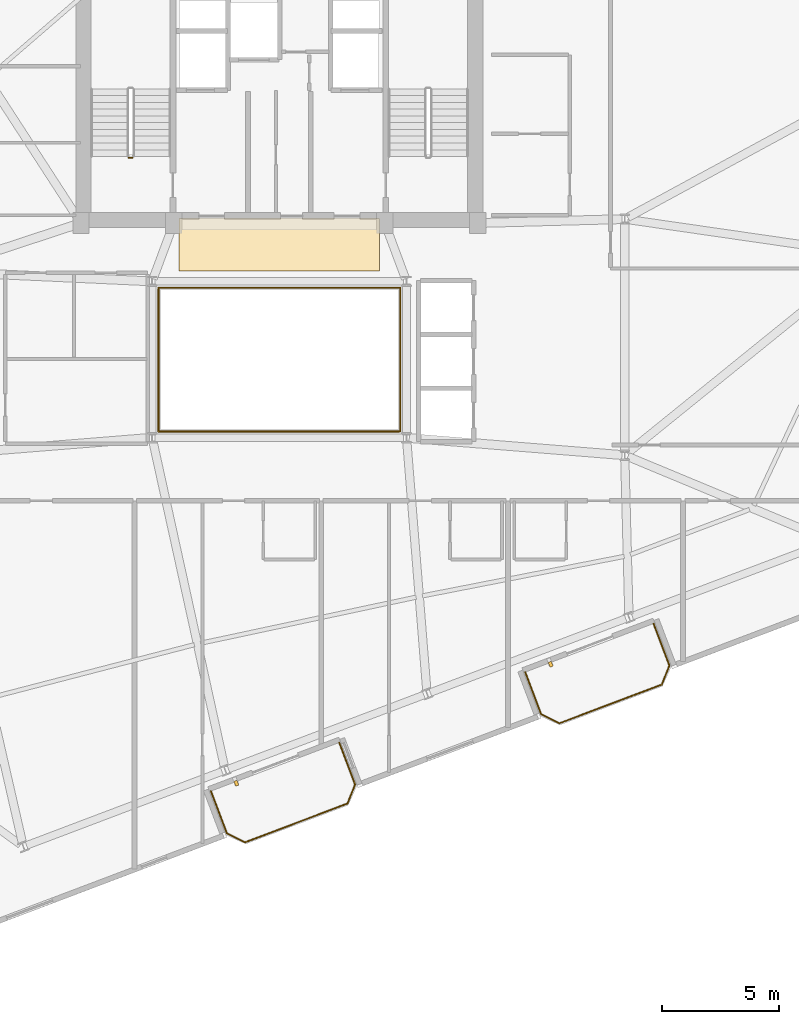
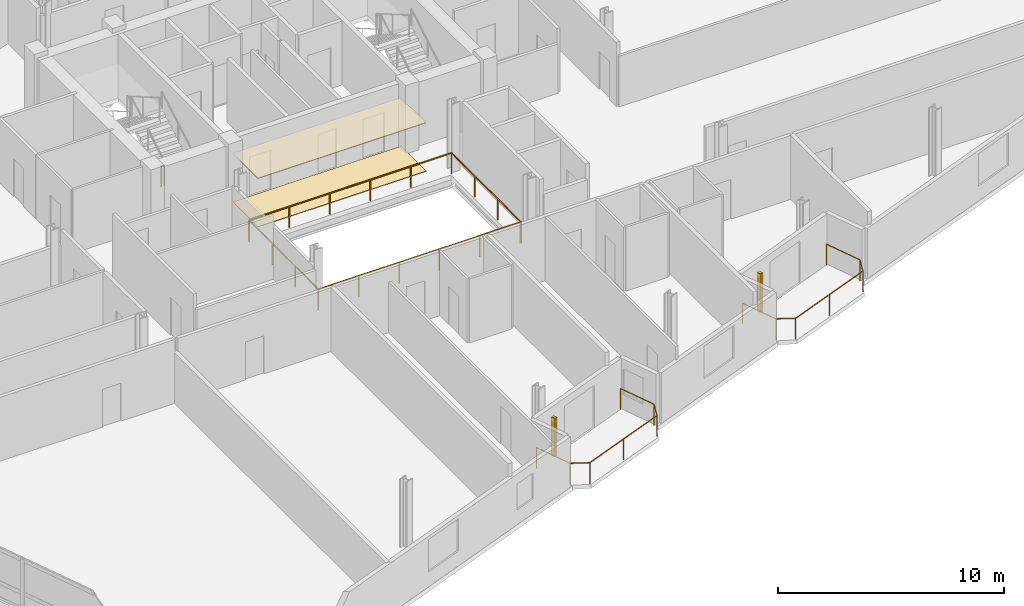
# One storey, part 19 of 20: 5 railings, 2 coverings, 2 shading devices.
"""IFC4 building model written with IfcOpenShell, lengths in metres."""

from ifc_helpers import new_model, si_unit, direction, frame, origin, origin_2d, place, context, subcontext, project, spatial, rectangle, circle, extrude, source, transform, mapped, material, layer, layer_set, type_object, element, save


model = new_model("IFC4")

# Units and contexts
model_context = context("Model", 3, precision=1e-05, world=origin(), true_north=direction((0.0, 1.0)))
body_context = subcontext(model_context, "Body", "Model", "MODEL_VIEW")
ifc_project = project(units=[si_unit("LENGTHUNIT", "METRE"), si_unit("AREAUNIT", "SQUARE_METRE"), si_unit("VOLUMEUNIT", "CUBIC_METRE"), si_unit("PLANEANGLEUNIT", "RADIAN"), si_unit("MASSUNIT", "GRAM", prefix="KILO")], contexts=[model_context])

# Site, building, storey
site_placement = place(None, origin())
site = spatial("IfcSite", under=ifc_project, at=site_placement, CompositionType="ELEMENT")
building_placement = place(site_placement, origin())
building = spatial("IfcBuilding", under=site, at=building_placement, Name="Varnelok Gate Tower", CompositionType="ELEMENT")
storey_placement = place(building_placement, frame((0.0, 0.0, 238.60009765625)))
storey = spatial("IfcBuildingStorey", under=building, at=storey_placement, Name="L61", CompositionType="ELEMENT", Elevation=238.60009765625)

# Railings
ifc_material_1 = material(Name="Tempered Laminated Balustrade Glass", Category="glass")
railing_type_1 = type_object("IfcRailingType", Name="RL-ATR-GUARD1150", PredefinedType="GUARDRAIL", material=ifc_material_1)
railing_1_placement = place(storey_placement, frame((34.02001953125, 25.929931640625, 0.0)))
element("IfcRailing", 1, at=railing_1_placement, inside=storey, type_object=railing_type_1, Name="L61 Internal Atrium South-West Guardrail", PredefinedType="GUARDRAIL", context=body_context, shape_type="SweptSolid", body=[
    extrude(circle(Radius=0.02392578125, at=origin_2d()), frame((0.0, 0.0, 1.1259765625), z_axis=(0.0, -1.0, 0.0), x_axis=(1.0, 0.0, 0.0)), (0.0, 0.0, 1.0), 6.10986328125),
    extrude(circle(Radius=0.02392578125, at=origin_2d()), frame((0.0, -6.10986328125, 1.1259765625), z_axis=(1.0, 0.0, 0.0), x_axis=(0.0, 1.0, 0.0)), (0.0, 0.0, 1.0), 10.31005859375),
    extrude(circle(Radius=0.02099609375, at=origin_2d()), origin(), (0.0, 0.0, 1.0), 1.101806640625),
    extrude(circle(Radius=0.02099609375, at=origin_2d()), frame((0.0, -2.03662109375, 0.0)), (0.0, 0.0, 1.0), 1.101806640625),
    extrude(circle(Radius=0.02099609375, at=origin_2d()), frame((0.0, -4.0732421875, 0.0)), (0.0, 0.0, 1.0), 1.101806640625),
    extrude(circle(Radius=0.02099609375, at=origin_2d()), frame((0.0, -6.10986328125, 0.0)), (0.0, 0.0, 1.0), 1.101806640625),
    extrude(circle(Radius=0.02099609375, at=origin_2d()), frame((2.06201171875, -6.10986328125, 0.0)), (0.0, 0.0, 1.0), 1.101806640625),
    extrude(circle(Radius=0.02099609375, at=origin_2d()), frame((4.1240234375, -6.10986328125, 0.0)), (0.0, 0.0, 1.0), 1.101806640625),
    extrude(circle(Radius=0.02099609375, at=origin_2d()), frame((6.18603515625, -6.10986328125, 0.0)), (0.0, 0.0, 1.0), 1.101806640625),
    extrude(circle(Radius=0.02099609375, at=origin_2d()), frame((8.248046875, -6.10986328125, 0.0)), (0.0, 0.0, 1.0), 1.101806640625),
    extrude(circle(Radius=0.02099609375, at=origin_2d()), frame((10.31005859375, -6.10986328125, 0.0)), (0.0, 0.0, 1.0), 1.101806640625),
])
railing_2_placement = place(storey_placement, frame((44.3798828125, 19.820068359375, 0.0)))
element("IfcRailing", 2, at=railing_2_placement, inside=storey, type_object=railing_type_1, Name="L61 Internal Atrium North-East Guardrail", PredefinedType="GUARDRAIL", context=body_context, shape_type="SweptSolid", body=[
    extrude(circle(Radius=0.02392578125, at=origin_2d()), frame((0.0, 0.0, 1.1259765625), z_axis=(0.0, 1.0, 0.0), x_axis=(-1.0, 0.0, 0.0)), (0.0, 0.0, 1.0), 6.159912109375),
    extrude(circle(Radius=0.02392578125, at=origin_2d()), frame((0.0, 6.159912109375, 1.1259765625), z_axis=(-1.0, 0.0, 0.0), x_axis=(0.0, -1.0, 0.0)), (0.0, 0.0, 1.0), 10.35986328125),
    extrude(circle(Radius=0.02099609375, at=origin_2d()), origin(), (0.0, 0.0, 1.0), 1.101806640625),
    extrude(circle(Radius=0.02099609375, at=origin_2d()), frame((0.0, 2.05322265625, 0.0)), (0.0, 0.0, 1.0), 1.101806640625),
    extrude(circle(Radius=0.02099609375, at=origin_2d()), frame((0.0, 4.106689453125, 0.0)), (0.0, 0.0, 1.0), 1.101806640625),
    extrude(circle(Radius=0.02099609375, at=origin_2d()), frame((0.0, 6.159912109375, 0.0)), (0.0, 0.0, 1.0), 1.101806640625),
    extrude(circle(Radius=0.02099609375, at=origin_2d()), frame((-2.072021484375, 6.159912109375, 0.0)), (0.0, 0.0, 1.0), 1.101806640625),
    extrude(circle(Radius=0.02099609375, at=origin_2d()), frame((-4.14404296875, 6.159912109375, 0.0)), (0.0, 0.0, 1.0), 1.101806640625),
    extrude(circle(Radius=0.02099609375, at=origin_2d()), frame((-6.2158203125, 6.159912109375, 0.0)), (0.0, 0.0, 1.0), 1.101806640625),
    extrude(circle(Radius=0.02099609375, at=origin_2d()), frame((-8.287841796875, 6.159912109375, 0.0)), (0.0, 0.0, 1.0), 1.101806640625),
    extrude(circle(Radius=0.02099609375, at=origin_2d()), frame((-10.35986328125, 6.159912109375, 0.0)), (0.0, 0.0, 1.0), 1.101806640625),
])
ifc_material_2 = material(Name="Low-E Laminated Double Glazing IGU", Category="glass")
railing_type_2 = type_object("IfcRailingType", Name="RL-BALC-1150", PredefinedType="BALUSTRADE", material=ifc_material_2)
railing_3_placement = place(storey_placement, frame((36.26708984375, 4.408203125, 0.0)))
element("IfcRailing", 3, at=railing_3_placement, inside=storey, type_object=railing_type_2, Name="L61 South Terrace Balustrade 1", PredefinedType="BALUSTRADE", context=body_context, shape_type="SweptSolid", body=[
    extrude(circle(Radius=0.02392578125, at=origin_2d()), frame((0.0, 0.0, 1.1259765625), z_axis=(0.354006333352, -0.935243025073, 0.0), x_axis=(0.935243025073, 0.354006333352, 0.0)), (0.0, 0.0, 1.0), 1.919921875),
    extrude(circle(Radius=0.02392578125, at=origin_2d()), frame((0.6796875, -1.795654296875, 1.1259765625), z_axis=(0.89078254773, -0.454429810487, 0.0), x_axis=(0.454429810487, 0.89078254773, 0.0)), (0.0, 0.0, 1.0), 0.8779296875),
    extrude(circle(Radius=0.02392578125, at=origin_2d()), frame((1.461669921875, -2.194580078125, 1.1259765625), z_axis=(0.935223045203, 0.354059113314, 0.0), x_axis=(-0.354059113314, 0.935223045203, 0.0)), (0.0, 0.0, 1.0), 4.699951171875),
    extrude(circle(Radius=0.02392578125, at=origin_2d()), frame((5.857177734375, -0.530517578125, 1.1259765625), z_axis=(0.366254584666, 0.930514685113, 0.0), x_axis=(-0.930514685113, 0.366254584666, 0.0)), (0.0, 0.0, 1.0), 0.8779296875),
    extrude(circle(Radius=0.02392578125, at=origin_2d()), frame((6.1787109375, 0.286376953125, 1.1259765625), z_axis=(-0.354048437536, 0.935227086797, 0.0), x_axis=(-0.935227086797, -0.354048437536, 0.0)), (0.0, 0.0, 1.0), 1.919677734375),
    extrude(circle(Radius=0.02099609375, at=origin_2d()), origin(), (0.0, 0.0, 1.0), 1.101806640625),
    extrude(circle(Radius=0.02099609375, at=origin_2d()), frame((0.6796875, -1.795654296875, 0.0)), (0.0, 0.0, 1.0), 1.101806640625),
    extrude(circle(Radius=0.02099609375, at=origin_2d()), frame((1.461669921875, -2.194580078125, 0.0)), (0.0, 0.0, 1.0), 1.101806640625),
    extrude(circle(Radius=0.02099609375, at=origin_2d()), frame((3.659423828125, -1.362548828125, 0.0)), (0.0, 0.0, 1.0), 1.101806640625),
    extrude(circle(Radius=0.02099609375, at=origin_2d()), frame((5.857177734375, -0.530517578125, 0.0)), (0.0, 0.0, 1.0), 1.101806640625),
    extrude(circle(Radius=0.02099609375, at=origin_2d()), frame((6.1787109375, 0.286376953125, 0.0)), (0.0, 0.0, 1.0), 1.101806640625),
    extrude(circle(Radius=0.02099609375, at=origin_2d()), frame((5.4990234375, 2.081787109375, 0.0)), (0.0, 0.0, 1.0), 1.101806640625),
])
railing_4_placement = place(storey_placement, frame((49.734130859375, 9.506591796875, 0.0)))
element("IfcRailing", 4, at=railing_4_placement, inside=storey, type_object=railing_type_2, Name="L61 South Terrace Balustrade 2", PredefinedType="BALUSTRADE", context=body_context, shape_type="SweptSolid", body=[
    extrude(circle(Radius=0.02392578125, at=origin_2d()), frame((0.0, 0.0, 1.1259765625), z_axis=(0.354159661475, -0.935184973245, 0.0), x_axis=(0.935184973245, 0.354159661475, 0.0)), (0.0, 0.0, 1.0), 1.919921875),
    extrude(circle(Radius=0.02392578125, at=origin_2d()), frame((0.679931640625, -1.79541015625, 1.1259765625), z_axis=(0.890612455555, -0.454763074589, 0.0), x_axis=(0.454763074589, 0.890612455555, 0.0)), (0.0, 0.0, 1.0), 0.877685546875),
    extrude(circle(Radius=0.02392578125, at=origin_2d()), frame((1.461669921875, -2.194580078125, 1.1259765625), z_axis=(0.935212356898, 0.354087344458, 0.0), x_axis=(-0.354087344458, 0.935212356898, 0.0)), (0.0, 0.0, 1.0), 4.7001953125),
    extrude(circle(Radius=0.02392578125, at=origin_2d()), frame((5.857421875, -0.5302734375, 1.1259765625), z_axis=(0.366349384437, 0.930477365938, 0.0), x_axis=(-0.930477365938, 0.366349384437, 0.0)), (0.0, 0.0, 1.0), 0.877685546875),
    extrude(circle(Radius=0.02392578125, at=origin_2d()), frame((6.178955078125, 0.286376953125, 1.1259765625), z_axis=(-0.354006333352, 0.935243025073, 0.0), x_axis=(-0.935243025073, -0.354006333352, 0.0)), (0.0, 0.0, 1.0), 1.919921875),
    extrude(circle(Radius=0.02099609375, at=origin_2d()), origin(), (0.0, 0.0, 1.0), 1.101806640625),
    extrude(circle(Radius=0.02099609375, at=origin_2d()), frame((0.679931640625, -1.79541015625, 0.0)), (0.0, 0.0, 1.0), 1.101806640625),
    extrude(circle(Radius=0.02099609375, at=origin_2d()), frame((1.461669921875, -2.194580078125, 0.0)), (0.0, 0.0, 1.0), 1.101806640625),
    extrude(circle(Radius=0.02099609375, at=origin_2d()), frame((3.65966796875, -1.3623046875, 0.0)), (0.0, 0.0, 1.0), 1.101806640625),
    extrude(circle(Radius=0.02099609375, at=origin_2d()), frame((5.857421875, -0.5302734375, 0.0)), (0.0, 0.0, 1.0), 1.101806640625),
    extrude(circle(Radius=0.02099609375, at=origin_2d()), frame((6.178955078125, 0.286376953125, 0.0)), (0.0, 0.0, 1.0), 1.101806640625),
    extrude(circle(Radius=0.02099609375, at=origin_2d()), frame((5.499267578125, 2.08203125, 0.0)), (0.0, 0.0, 1.0), 1.101806640625),
])
ifc_material_3 = material(Name="Galvanized Steel Grade S350GD", Category="steel")
railing_type_3 = type_object("IfcRailingType", Name="RL-STAIR-GUARD1120", PredefinedType="GUARDRAIL", material=ifc_material_3)
railing_5_placement = place(storey_placement, frame((32.89990234375, 31.550048828125, 0.0)))
element("IfcRailing", 5, at=railing_5_placement, inside=storey, type_object=railing_type_3, Name="L61 ST-1 stair guard 4", PredefinedType="GUARDRAIL", context=body_context, shape_type="SweptSolid", body=[
    extrude(circle(Radius=0.02392578125, at=origin_2d()), frame((0.0, 0.0, 1.09619140625), z_axis=(-1.0, 0.0, 0.0), x_axis=(0.0, -1.0, 0.0)), (0.0, 0.0, 1.0), 0.14990234375),
    extrude(circle(Radius=0.02099609375, at=origin_2d()), origin(), (0.0, 0.0, 1.0), 1.072021484375),
    extrude(circle(Radius=0.02099609375, at=origin_2d()), frame((-0.14990234375, 0.0, 0.0)), (0.0, 0.0, 1.0), 1.072021484375),
])

# Shading devices
ifc_material_4 = material(Name="Glazed Architectural Terracotta Ceramic", Category="masonry")
shading_device_type = type_object("IfcShadingDeviceType", Name="SHD-TERRA-FIN", PredefinedType="USERDEFINED", material=ifc_material_4)
shared_shape_1 = source(origin(), body_context, "Body", "SweptSolid", [
    extrude(rectangle(XDim=0.139892578125, YDim=0.219970703125, at=origin_2d()), origin(), (0.0, 0.0, 1.0), 2.10009765625),
])
for number, where, z_axis, x_axis, name in (
    (6, (37.35791015625, 4.746337890625, 0.099853515625), (0.0, 0.0, 1.0), (0.935221751401, 0.354062530786, 0.0), "L61 Terracotta Ceramic Baguette Sunscreen 1.1"),
    (7, (50.8251953125, 9.844970703125, 0.099853515625), (0.0, 0.0, 1.0), (0.935221751401, 0.354062530786, 0.0), "L61 Terracotta Ceramic Baguette Sunscreen 2.1"),
):
    element("IfcShadingDevice", number, at=place(storey_placement, frame(where, z_axis=z_axis, x_axis=x_axis)), inside=storey, type_object=shading_device_type, Name=name, ObjectType="BAGUETTE", PredefinedType="USERDEFINED", context=body_context, shape_type="MappedRepresentation", body=[
        mapped(shared_shape_1, transform((0.0, 0.0, 0.0), scale=1.0)),
    ])

# Coverings
ifc_material_5 = material(Name="Honed Travertine Stone Flooring", Category="masonry")
ifc_layer_1 = layer(ifc_material_5, 0.02490234375)
ifc_layer_set_1 = layer_set([ifc_layer_1], Name="Honed Travertine Stone Flooring")
covering_type_1 = type_object("IfcCoveringType", Name="COV-FLOR-STONE", PredefinedType="FLOORING", material=ifc_layer_set_1)
shared_shape_2 = source(origin(), body_context, "Body", "SweptSolid", [
    extrude(rectangle(XDim=8.60009765625, YDim=2.219970703125, at=origin_2d()), origin(), (0.0, 0.0, 1.0), 0.02490234375),
])
covering_1_placement = place(storey_placement, frame((39.199951171875, 27.800048828125, 0.0), z_axis=(0.0, 0.0, 1.0), x_axis=(1.0, 0.0, 0.0)))
element("IfcCovering", 8, at=covering_1_placement, inside=storey, type_object=covering_type_1, Name="L61 Core Gallery Stone Flooring", PredefinedType="FLOORING", context=body_context, shape_type="MappedRepresentation", body=[
    mapped(shared_shape_2, transform((0.0, 0.0, 0.0), scale=1.0)),
])
ifc_material_6 = material(Name="Mineral Fiber Acoustic Ceiling Tile")
ifc_layer_2 = layer(ifc_material_6, 0.0400390625)
ifc_layer_set_2 = layer_set([ifc_layer_2], Name="Mineral Fiber Acoustic Ceiling Tile")
covering_type_2 = type_object("IfcCoveringType", Name="COV-CEIL-ACOUST", PredefinedType="CEILING", material=ifc_layer_set_2)
shared_shape_3 = source(origin(), body_context, "Body", "SweptSolid", [
    extrude(rectangle(XDim=8.60009765625, YDim=2.239990234375, at=origin_2d()), origin(), (0.0, 0.0, 1.0), 0.0400390625),
])
covering_2_placement = place(storey_placement, frame((39.199951171875, 27.820068359375, 2.599853515625), z_axis=(0.0, 0.0, 1.0), x_axis=(1.0, 0.0, 0.0)))
element("IfcCovering", 9, at=covering_2_placement, inside=storey, type_object=covering_type_2, Name="L61 Core Gallery Acoustic Ceiling", PredefinedType="CEILING", context=body_context, shape_type="MappedRepresentation", body=[
    mapped(shared_shape_3, transform((0.0, 0.0, 0.0), scale=1.0)),
])

save(model, "model.ifc")
